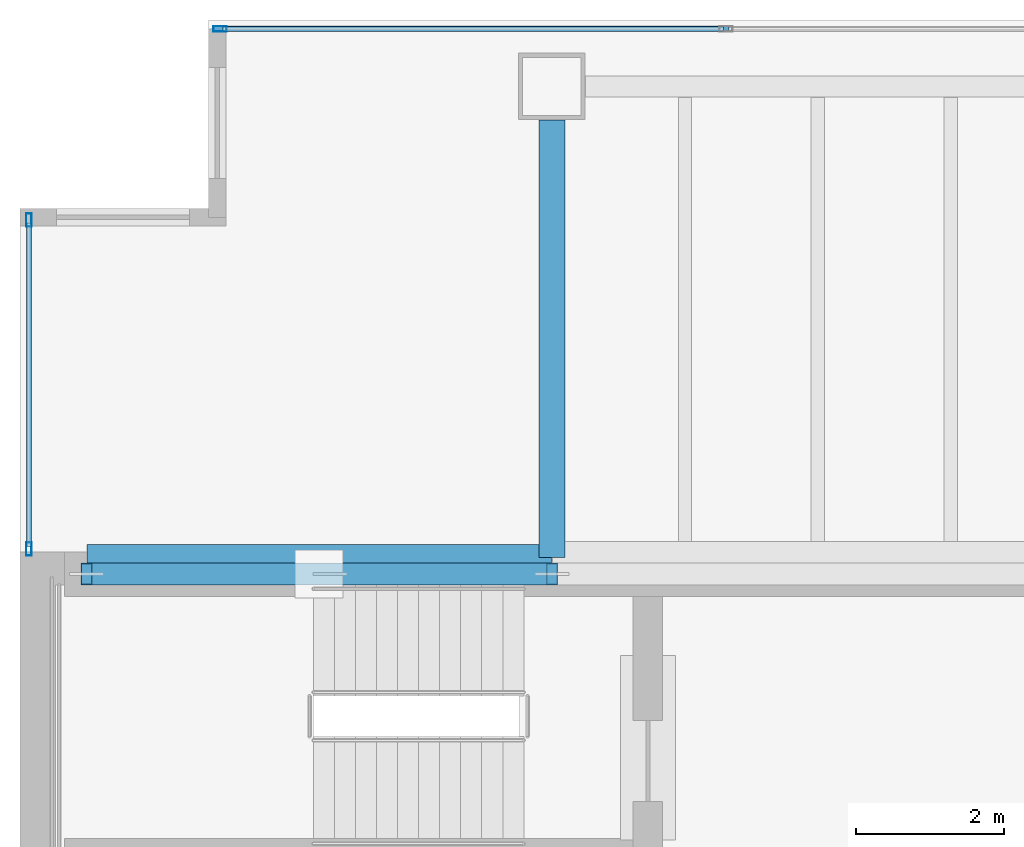
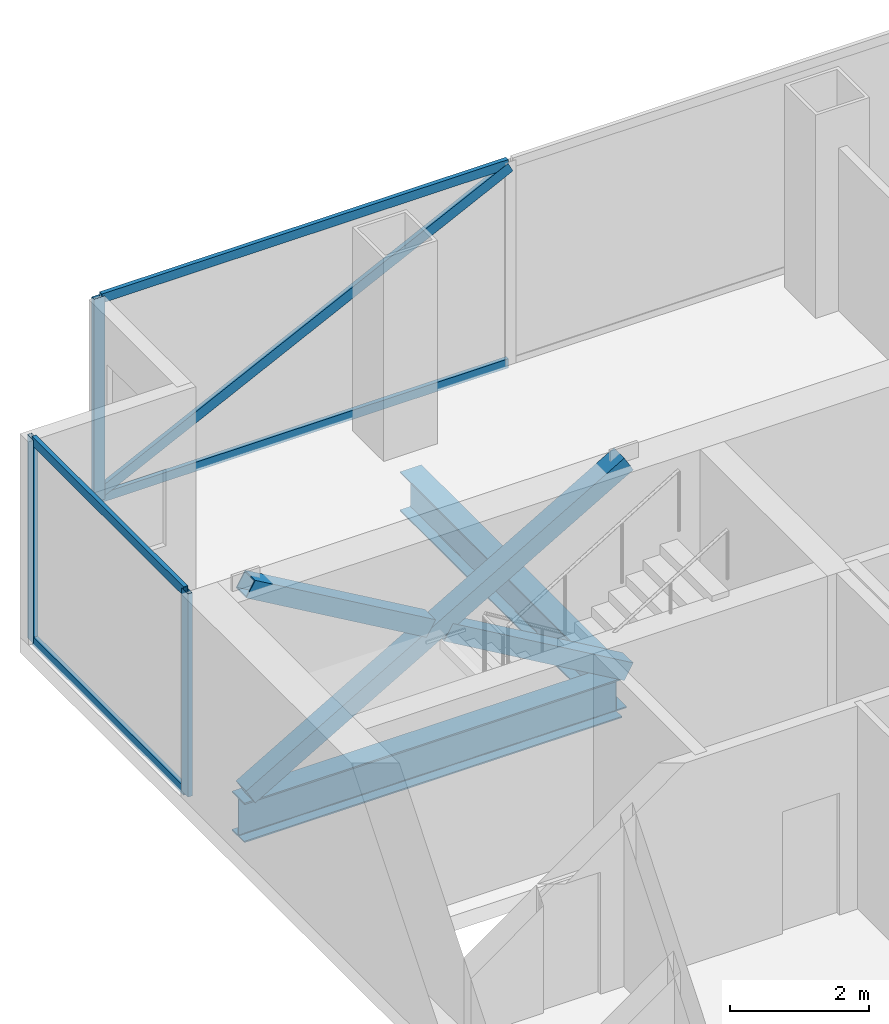
# One storey, part 16 of 24: 11 members, 2 beams, 2 elements without a shape of their own.
"""IFC4 building model written with IfcOpenShell, lengths in metres."""

from ifc_helpers import new_model, si_unit, direction, frame, origin, origin_2d, place, context, subcontext, project, spatial, hollow_rectangle, i_section, extrude, material, material_profile, profile_set, type_object, element, aggregate, save


model = new_model("IFC4")

# Units and contexts
model_context = context("Model", 3, precision=1e-05, world=origin(), true_north=direction((0.0, 1.0)))
body_context = subcontext(model_context, "Body", "Model", "MODEL_VIEW")
ifc_project = project(units=[si_unit("LENGTHUNIT", "METRE"), si_unit("AREAUNIT", "SQUARE_METRE"), si_unit("VOLUMEUNIT", "CUBIC_METRE"), si_unit("PLANEANGLEUNIT", "RADIAN"), si_unit("MASSUNIT", "GRAM", prefix="KILO")], contexts=[model_context])

# Site, building, storey
site_placement = place(None, origin())
site = spatial("IfcSite", under=ifc_project, at=site_placement, CompositionType="ELEMENT")
building_placement = place(site_placement, origin())
building = spatial("IfcBuilding", under=site, at=building_placement, Name="Cobrela Telecom Tower", CompositionType="ELEMENT")
storey_placement = place(building_placement, frame((0.0, 0.0, 136.85009765625)))
storey = spatial("IfcBuildingStorey", under=building, at=storey_placement, Name="L34", CompositionType="ELEMENT", Elevation=136.85009765625)

# Beams
ifc_material_1 = material(Name="Steel ASTM A992 Grade 50", Category="steel")
ifc_material_profile_1 = material_profile(ifc_material_1, i_section(OverallWidth=0.35595703125, OverallDepth=0.696044921875, WebThickness=0.015380859375, FlangeThickness=0.024658203125, FilletRadius=0.01806640625, at=origin_2d()), Name="W27X146")
ifc_profile_set_1 = profile_set([ifc_material_profile_1], Name="Steel ASTM A992 Grade 50")
beam_type = type_object("IfcBeamType", Name="BM-GIRD-05", PredefinedType="USERDEFINED", material=ifc_profile_set_1)
beam_1_placement = place(storey_placement, frame((0.905029296875, 35.919921875, -0.6181640625), z_axis=(1.0, 0.0, 0.0), x_axis=(0.0, 1.0, 0.0)))
element("IfcBeam", 1, at=beam_1_placement, inside=storey, type_object=beam_type, Name="L34 Primary Girder X25", ObjectType="GIRDER", PredefinedType="USERDEFINED", context=body_context, shape_type="SweptSolid", body=[
    extrude(i_section(OverallWidth=0.35595703125, OverallDepth=0.696044921875, WebThickness=0.015380859375, FlangeThickness=0.024658203125, FilletRadius=0.01806640625, at=origin_2d()), origin(), (0.0, 0.0, 1.0), 6.2900390625),
])
beam_2_placement = place(storey_placement, frame((7.199951171875, 35.925048828125, -0.6181640625), z_axis=(0.0, 1.0, 0.0), x_axis=(-1.0, 0.0, 0.0)))
element("IfcBeam", 2, at=beam_2_placement, inside=storey, type_object=beam_type, Name="L34 Primary Girder Y32", ObjectType="GIRDER", PredefinedType="USERDEFINED", context=body_context, shape_type="SweptSolid", body=[
    extrude(i_section(OverallWidth=0.35595703125, OverallDepth=0.696044921875, WebThickness=0.015380859375, FlangeThickness=0.024658203125, FilletRadius=0.01806640625, at=origin_2d()), origin(), (0.0, 0.0, 1.0), 5.919921875),
])

# Curtain wall, members
ifc_material_2 = material(Name="Anodized Bronze Aluminium 6063-T6", Category="aluminium")
curtain_wall_type = type_object("IfcCurtainWallType", Name="CW-SYS-TEL", PredefinedType="USERDEFINED", material=ifc_material_2)
curtain_wall_1_placement = place(storey_placement, origin())
curtain_wall_1 = element("IfcCurtainWall", 3, at=curtain_wall_1_placement, inside=storey, type_object=curtain_wall_type, Name="L34 Unitised Bronze Curtain Wall 04", ObjectType="UNITISED CURTAIN WALL", PredefinedType="USERDEFINED")
ifc_material_profile_2 = material_profile(ifc_material_2, hollow_rectangle(XDim=0.074951171875, YDim=0.179931640625, WallThickness=0.00390625, at=origin_2d()), Name="ALU 75x180x4")
ifc_profile_set_2 = profile_set([ifc_material_profile_2], Name="Anodized Bronze Aluminium 6063-T6")
member_type_1 = type_object("IfcMemberType", Name="CW-SYS-TEL-MUL", PredefinedType="MULLION", material=ifc_profile_set_2)
member_1_placement = place(storey_placement, frame((0.1201171875, 36.03759765625, 0.0), z_axis=(0.0, 0.0, 1.0), x_axis=(-1.0, 0.0, 0.0)))
member_1 = element("IfcMember", 4, at=member_1_placement, type_object=member_type_1, Name="CW-TEL mullion 1", PredefinedType="MULLION", context=body_context, shape_type="SweptSolid", body=[
    extrude(hollow_rectangle(XDim=0.074951171875, YDim=0.179931640625, WallThickness=0.00390625, at=origin_2d()), origin(), (0.0, 0.0, 1.0), 3.579833984375),
])
member_2_placement = place(storey_placement, frame((0.1201171875, 40.492431640625, 0.0), z_axis=(0.0, 0.0, 1.0), x_axis=(-1.0, 0.0, 0.0)))
member_2 = element("IfcMember", 5, at=member_2_placement, type_object=member_type_1, Name="CW-TEL mullion 2", PredefinedType="MULLION", context=body_context, shape_type="SweptSolid", body=[
    extrude(hollow_rectangle(XDim=0.074951171875, YDim=0.179931640625, WallThickness=0.00390625, at=origin_2d()), origin(), (0.0, 0.0, 1.0), 3.579833984375),
])

curtain_wall_2_placement = place(storey_placement, origin())
curtain_wall_2 = element("IfcCurtainWall", 6, at=curtain_wall_2_placement, inside=storey, type_object=curtain_wall_type, Name="L34 Unitised Bronze Curtain Wall 07", ObjectType="UNITISED CURTAIN WALL", PredefinedType="USERDEFINED")
member_3_placement = place(storey_placement, frame((2.70751953125, 43.080078125, 0.0), z_axis=(0.0, 0.0, 1.0), x_axis=(0.0, 1.0, 0.0)))
member_3 = element("IfcMember", 7, at=member_3_placement, type_object=member_type_1, Name="CW-TEL mullion 1", PredefinedType="MULLION", context=body_context, shape_type="SweptSolid", body=[
    extrude(hollow_rectangle(XDim=0.074951171875, YDim=0.179931640625, WallThickness=0.00390625, at=origin_2d()), origin(), (0.0, 0.0, 1.0), 3.579833984375),
])
member_4_placement = place(storey_placement, frame((2.669921875, 43.080078125, 0.099853515625), z_axis=(0.89769988176, 0.0, 0.440607446929), x_axis=(0.0, 1.0, 0.0)))
member_4 = element("IfcMember", 8, at=member_4_placement, type_object=member_type_1, Name="L34 Faceted Curtain Wall Diagonal Glazing Mullion", PredefinedType="MULLION", context=body_context, shape_type="SweptSolid", body=[
    extrude(hollow_rectangle(XDim=0.074951171875, YDim=0.179931640625, WallThickness=0.00390625, at=origin_2d()), origin(), (0.0, 0.0, 1.0), 7.671630859375),
])

# Member
ifc_material_profile_3 = material_profile(ifc_material_2, hollow_rectangle(XDim=0.070068359375, YDim=0.159912109375, WallThickness=0.00390625, at=origin_2d()), Name="ALU 70x160x4")
ifc_profile_set_3 = profile_set([ifc_material_profile_3], Name="Anodized Bronze Aluminium 6063-T6")
member_type_2 = type_object("IfcMemberType", Name="CW-SYS-TEL-TRN", PredefinedType="USERDEFINED", material=ifc_profile_set_3)
member_5_placement = place(storey_placement, frame((0.1201171875, 36.074951171875, 0.034912109375), z_axis=(0.0, 1.0, 0.0), x_axis=(-1.0, 0.0, 0.0)))
member_5 = element("IfcMember", 9, at=member_5_placement, type_object=member_type_2, Name="CW-TEL transom 1.1", ObjectType="TRANSOM", PredefinedType="USERDEFINED", context=body_context, shape_type="SweptSolid", body=[
    extrude(hollow_rectangle(XDim=0.070068359375, YDim=0.159912109375, WallThickness=0.00390625, at=origin_2d()), origin(), (0.0, 0.0, 1.0), 4.380126953125),
])

member_6_placement = place(storey_placement, frame((0.1201171875, 36.074951171875, 3.544921875), z_axis=(0.0, 1.0, 0.0), x_axis=(-1.0, 0.0, 0.0)))
member_6 = element("IfcMember", 10, at=member_6_placement, type_object=member_type_2, Name="CW-TEL transom 1.2", ObjectType="TRANSOM", PredefinedType="USERDEFINED", context=body_context, shape_type="SweptSolid", body=[
    extrude(hollow_rectangle(XDim=0.070068359375, YDim=0.159912109375, WallThickness=0.00390625, at=origin_2d()), origin(), (0.0, 0.0, 1.0), 4.380126953125),
])

aggregate(curtain_wall_1, [member_1, member_2, member_5, member_6])

member_7_placement = place(storey_placement, frame((2.7451171875, 43.080078125, 0.034912109375), z_axis=(1.0, 0.0, 0.0), x_axis=(0.0, 1.0, 0.0)))
member_7 = element("IfcMember", 11, at=member_7_placement, type_object=member_type_2, Name="CW-TEL transom 1.1", ObjectType="TRANSOM", PredefinedType="USERDEFINED", context=body_context, shape_type="SweptSolid", body=[
    extrude(hollow_rectangle(XDim=0.070068359375, YDim=0.159912109375, WallThickness=0.00390625, at=origin_2d()), origin(), (0.0, 0.0, 1.0), 6.774169921875),
])

member_8_placement = place(storey_placement, frame((2.7451171875, 43.080078125, 3.544921875), z_axis=(1.0, 0.0, 0.0), x_axis=(0.0, 1.0, 0.0)))
member_8 = element("IfcMember", 12, at=member_8_placement, type_object=member_type_2, Name="CW-TEL transom 1.2", ObjectType="TRANSOM", PredefinedType="USERDEFINED", context=body_context, shape_type="SweptSolid", body=[
    extrude(hollow_rectangle(XDim=0.070068359375, YDim=0.159912109375, WallThickness=0.00390625, at=origin_2d()), origin(), (0.0, 0.0, 1.0), 6.774169921875),
])

aggregate(curtain_wall_2, [member_3, member_7, member_8, member_4])

# Members
ifc_material_3 = material(Name="Steel ASTM A572 Grade 50", Category="steel")
ifc_material_profile_4 = material_profile(ifc_material_3, hollow_rectangle(XDim=0.300048828125, YDim=0.300048828125, WallThickness=0.01611328125, at=origin_2d()), Name="HSS 300x300x16")
ifc_profile_set_4 = profile_set([ifc_material_profile_4], Name="Steel ASTM A572 Grade 50")
member_type_3 = type_object("IfcMemberType", Name="MBR-EXO-03", PredefinedType="BRACE", material=ifc_profile_set_4)
member_9_placement = place(storey_placement, frame((0.89990234375, 35.699951171875, -0.0400390625), z_axis=(0.864680500519, 0.0, 0.502322239228), x_axis=(0.0, 1.0, 0.0)))
element("IfcMember", 13, at=member_9_placement, inside=storey, type_object=member_type_3, Name="L34 Core Flange Steel X-Brace Continuous A", PredefinedType="BRACE", context=body_context, shape_type="SweptSolid", body=[
    extrude(hollow_rectangle(XDim=0.300048828125, YDim=0.300048828125, WallThickness=0.01611328125, at=origin_2d()), origin(), (0.0, 0.0, 1.0), 7.285888671875),
])
member_10_placement = place(storey_placement, frame((7.199951171875, 35.699951171875, -0.0400390625), z_axis=(-0.864666885148, 0.0, 0.502345675535), x_axis=(0.0, -1.0, 0.0)))
element("IfcMember", 14, at=member_10_placement, inside=storey, type_object=member_type_3, Name="L34 Core Flange Steel X-Brace Split B1", PredefinedType="BRACE", context=body_context, shape_type="SweptSolid", body=[
    extrude(hollow_rectangle(XDim=0.300048828125, YDim=0.300048828125, WallThickness=0.01611328125, at=origin_2d()), origin(), (0.0, 0.0, 1.0), 3.474853515625),
])
member_11_placement = place(storey_placement, frame((3.90478515625, 35.699951171875, 1.874267578125), z_axis=(-0.864684613256, 0.0, 0.502315159634), x_axis=(0.0, -1.0, 0.0)))
element("IfcMember", 15, at=member_11_placement, inside=storey, type_object=member_type_3, Name="L34 Core Flange Steel X-Brace Split B2", PredefinedType="BRACE", context=body_context, shape_type="SweptSolid", body=[
    extrude(hollow_rectangle(XDim=0.300048828125, YDim=0.300048828125, WallThickness=0.01611328125, at=origin_2d()), origin(), (0.0, 0.0, 1.0), 3.47509765625),
])

save(model, "model.ifc")
